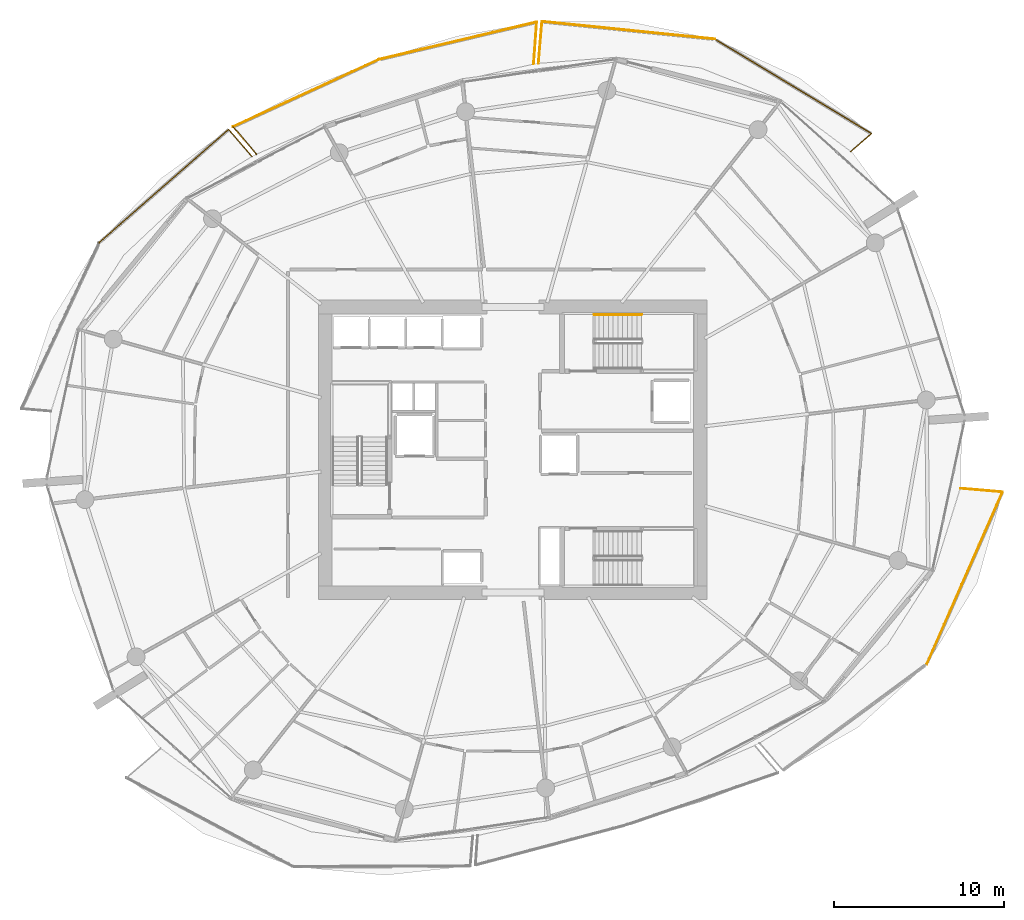
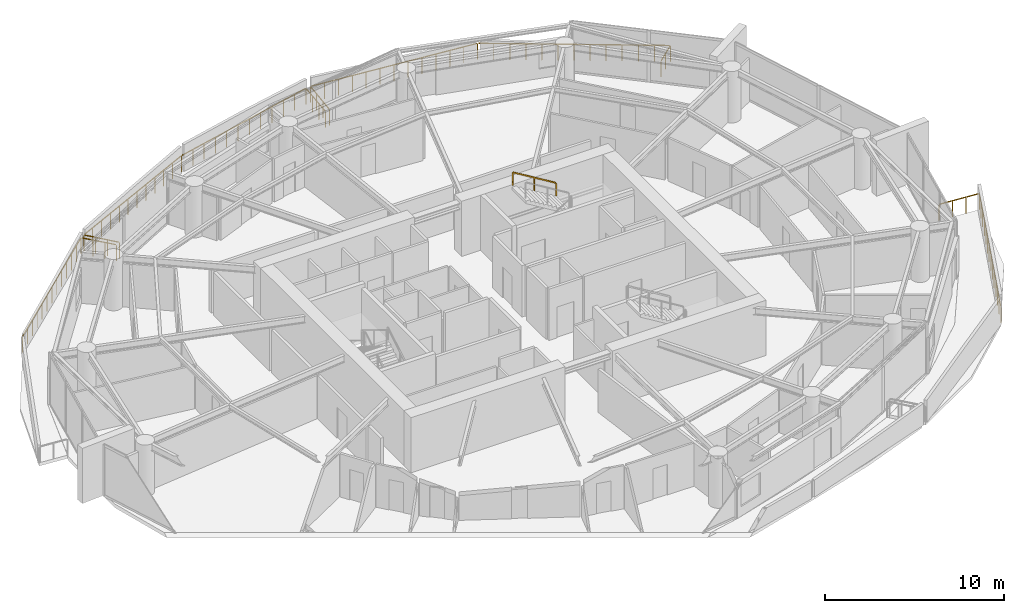
# One storey, part 20 of 20: 13 railings.
"""IFC4 building model written with IfcOpenShell, lengths in metres."""

from ifc_helpers import new_model, si_unit, direction, frame, origin, origin_2d, place, context, subcontext, project, spatial, rectangle, extrude, material, type_object, element, save


model = new_model("IFC4")

# Units and contexts
model_context = context("Model", 3, precision=1e-05, world=origin(), true_north=direction((0.0, 1.0)))
body_context = subcontext(model_context, "Body", "Model", "MODEL_VIEW")
ifc_project = project(units=[si_unit("LENGTHUNIT", "METRE"), si_unit("AREAUNIT", "SQUARE_METRE"), si_unit("VOLUMEUNIT", "CUBIC_METRE"), si_unit("PLANEANGLEUNIT", "RADIAN"), si_unit("MASSUNIT", "GRAM", prefix="KILO")], contexts=[model_context])

# Site, building, storey
site_placement = place(None, origin())
site = spatial("IfcSite", under=ifc_project, at=site_placement, CompositionType="ELEMENT")
building_placement = place(site_placement, origin())
building = spatial("IfcBuilding", under=site, at=building_placement, Name="Kazma Halo Residences", CompositionType="ELEMENT")
storey_placement = place(building_placement, frame((0.0, 0.0, 154.050048828125)))
storey = spatial("IfcBuildingStorey", under=building, at=storey_placement, Name="L38", CompositionType="ELEMENT", Elevation=154.050048828125)

# Railings
ifc_material_1 = material(Name="Aluminium AW-6063 T6 Brushed Cap Rail", Category="aluminium")
railing_type_1 = type_object("IfcRailingType", Name="RLG-BAL-CAP-1120", PredefinedType="BALUSTRADE", material=ifc_material_1)
railing_1_placement = place(storey_placement, frame((68.294677734375, 59.548583984375, 0.0)))
element("IfcRailing", 1, at=railing_1_placement, inside=storey, type_object=railing_type_1, Name="L38 NE wave balcony guard 1", PredefinedType="BALUSTRADE", context=body_context, shape_type="SweptSolid", body=[
    extrude(rectangle(XDim=0.050048828125, YDim=0.050048828125, at=origin_2d()), frame((0.0322265625, 0.02783203125, 1.09521484375), z_axis=(0.756359086682, 0.654156657074, 0.0), x_axis=(-0.654156657074, 0.756359086682, 0.0)), (0.0, 0.0, 1.0), 1.512939453125),
    extrude(rectangle(XDim=0.0400390625, YDim=0.0400390625, at=origin_2d()), origin(), (0.0, 0.0, 1.0), 1.05810546875),
    extrude(rectangle(XDim=0.0400390625, YDim=0.0400390625, at=origin_2d()), frame((0.6044921875, 0.522705078125, 0.0)), (0.0, 0.0, 1.0), 1.05810546875),
    extrude(rectangle(XDim=0.0400390625, YDim=0.0400390625, at=origin_2d()), frame((1.208740234375, 1.04541015625, 0.0)), (0.0, 0.0, 1.0), 1.05810546875),
])
railing_2_placement = place(storey_placement, frame((69.50341796875, 60.593994140625, 0.0)))
element("IfcRailing", 2, at=railing_2_placement, inside=storey, type_object=railing_type_1, Name="L38 NE wave balcony guard 2", PredefinedType="BALUSTRADE", context=body_context, shape_type="SweptSolid", body=[
    extrude(rectangle(XDim=0.050048828125, YDim=0.050048828125, at=origin_2d()), frame((-0.036376953125, 0.02197265625, 1.09521484375), z_axis=(-0.856003934619, 0.516969306552, 0.0), x_axis=(-0.516969306552, -0.856003934619, 0.0)), (0.0, 0.0, 1.0), 10.6611328125),
    extrude(rectangle(XDim=0.0400390625, YDim=0.0400390625, at=origin_2d()), origin(), (0.0, 0.0, 1.0), 1.05810546875),
    extrude(rectangle(XDim=0.0400390625, YDim=0.0400390625, at=origin_2d()), frame((-0.7666015625, 0.462890625, 0.0)), (0.0, 0.0, 1.0), 1.05810546875),
    extrude(rectangle(XDim=0.0400390625, YDim=0.0400390625, at=origin_2d()), frame((-1.533203125, 0.92578125, 0.0)), (0.0, 0.0, 1.0), 1.05810546875),
    extrude(rectangle(XDim=0.0400390625, YDim=0.0400390625, at=origin_2d()), frame((-2.2998046875, 1.388916015625, 0.0)), (0.0, 0.0, 1.0), 1.05810546875),
    extrude(rectangle(XDim=0.0400390625, YDim=0.0400390625, at=origin_2d()), frame((-3.066162109375, 1.851806640625, 0.0)), (0.0, 0.0, 1.0), 1.05810546875),
    extrude(rectangle(XDim=0.0400390625, YDim=0.0400390625, at=origin_2d()), frame((-3.832763671875, 2.314697265625, 0.0)), (0.0, 0.0, 1.0), 1.05810546875),
    extrude(rectangle(XDim=0.0400390625, YDim=0.0400390625, at=origin_2d()), frame((-4.599365234375, 2.77783203125, 0.0)), (0.0, 0.0, 1.0), 1.05810546875),
    extrude(rectangle(XDim=0.0400390625, YDim=0.0400390625, at=origin_2d()), frame((-5.365966796875, 3.24072265625, 0.0)), (0.0, 0.0, 1.0), 1.05810546875),
    extrude(rectangle(XDim=0.0400390625, YDim=0.0400390625, at=origin_2d()), frame((-6.132568359375, 3.70361328125, 0.0)), (0.0, 0.0, 1.0), 1.05810546875),
    extrude(rectangle(XDim=0.0400390625, YDim=0.0400390625, at=origin_2d()), frame((-6.89892578125, 4.16650390625, 0.0)), (0.0, 0.0, 1.0), 1.05810546875),
    extrude(rectangle(XDim=0.0400390625, YDim=0.0400390625, at=origin_2d()), frame((-7.66552734375, 4.62939453125, 0.0)), (0.0, 0.0, 1.0), 1.05810546875),
    extrude(rectangle(XDim=0.0400390625, YDim=0.0400390625, at=origin_2d()), frame((-8.43212890625, 5.092529296875, 0.0)), (0.0, 0.0, 1.0), 1.05810546875),
    extrude(rectangle(XDim=0.0400390625, YDim=0.0400390625, at=origin_2d()), frame((-9.19873046875, 5.555419921875, 0.0)), (0.0, 0.0, 1.0), 1.05810546875),
])
railing_3_placement = place(storey_placement, frame((60.3046875, 66.1494140625, 0.0)))
element("IfcRailing", 3, at=railing_3_placement, inside=storey, type_object=railing_type_1, Name="L38 NE wave balcony guard 3", PredefinedType="BALUSTRADE", context=body_context, shape_type="SweptSolid", body=[
    extrude(rectangle(XDim=0.050048828125, YDim=0.050048828125, at=origin_2d()), frame((-0.042236328125, 0.00439453125, 1.09521484375), z_axis=(-0.994888990239, 0.100974734963, 0.0), x_axis=(-0.100974734963, -0.994888990239, 0.0)), (0.0, 0.0, 1.0), 10.135009765625),
    extrude(rectangle(XDim=0.0400390625, YDim=0.0400390625, at=origin_2d()), origin(), (0.0, 0.0, 1.0), 1.05810546875),
    extrude(rectangle(XDim=0.0400390625, YDim=0.0400390625, at=origin_2d()), frame((-0.847412109375, 0.0859375, 0.0)), (0.0, 0.0, 1.0), 1.05810546875),
    extrude(rectangle(XDim=0.0400390625, YDim=0.0400390625, at=origin_2d()), frame((-1.694580078125, 0.171875, 0.0)), (0.0, 0.0, 1.0), 1.05810546875),
    extrude(rectangle(XDim=0.0400390625, YDim=0.0400390625, at=origin_2d()), frame((-2.5419921875, 0.258056640625, 0.0)), (0.0, 0.0, 1.0), 1.05810546875),
    extrude(rectangle(XDim=0.0400390625, YDim=0.0400390625, at=origin_2d()), frame((-3.389404296875, 0.343994140625, 0.0)), (0.0, 0.0, 1.0), 1.05810546875),
    extrude(rectangle(XDim=0.0400390625, YDim=0.0400390625, at=origin_2d()), frame((-4.236572265625, 0.429931640625, 0.0)), (0.0, 0.0, 1.0), 1.05810546875),
    extrude(rectangle(XDim=0.0400390625, YDim=0.0400390625, at=origin_2d()), frame((-5.083984375, 0.51611328125, 0.0)), (0.0, 0.0, 1.0), 1.05810546875),
    extrude(rectangle(XDim=0.0400390625, YDim=0.0400390625, at=origin_2d()), frame((-5.931396484375, 0.60205078125, 0.0)), (0.0, 0.0, 1.0), 1.05810546875),
    extrude(rectangle(XDim=0.0400390625, YDim=0.0400390625, at=origin_2d()), frame((-6.778564453125, 0.68798828125, 0.0)), (0.0, 0.0, 1.0), 1.05810546875),
    extrude(rectangle(XDim=0.0400390625, YDim=0.0400390625, at=origin_2d()), frame((-7.6259765625, 0.77392578125, 0.0)), (0.0, 0.0, 1.0), 1.05810546875),
    extrude(rectangle(XDim=0.0400390625, YDim=0.0400390625, at=origin_2d()), frame((-8.473388671875, 0.85986328125, 0.0)), (0.0, 0.0, 1.0), 1.05810546875),
    extrude(rectangle(XDim=0.0400390625, YDim=0.0400390625, at=origin_2d()), frame((-9.320556640625, 0.946044921875, 0.0)), (0.0, 0.0, 1.0), 1.05810546875),
    extrude(rectangle(XDim=0.0400390625, YDim=0.0400390625, at=origin_2d()), frame((-10.16796875, 1.031982421875, 0.0)), (0.0, 0.0, 1.0), 1.05810546875),
])
railing_4_placement = place(storey_placement, frame((50.13671875, 67.181396484375, 0.0)))
element("IfcRailing", 4, at=railing_4_placement, inside=storey, type_object=railing_type_1, Name="L38 NE wave balcony guard 4", PredefinedType="BALUSTRADE", context=body_context, shape_type="SweptSolid", body=[
    extrude(rectangle(XDim=0.050048828125, YDim=0.050048828125, at=origin_2d()), frame((-0.003662109375, -0.04248046875, 1.09521484375), z_axis=(-0.084517933957, -0.996421958228, 0.0), x_axis=(0.996421958228, -0.084517933957, 0.0)), (0.0, 0.0, 1.0), 2.384765625),
    extrude(rectangle(XDim=0.0400390625, YDim=0.0400390625, at=origin_2d()), origin(), (0.0, 0.0, 1.0), 1.05810546875),
    extrude(rectangle(XDim=0.0400390625, YDim=0.0400390625, at=origin_2d()), frame((-0.069580078125, -0.8203125, 0.0)), (0.0, 0.0, 1.0), 1.05810546875),
    extrude(rectangle(XDim=0.0400390625, YDim=0.0400390625, at=origin_2d()), frame((-0.13916015625, -1.640625, 0.0)), (0.0, 0.0, 1.0), 1.05810546875),
    extrude(rectangle(XDim=0.0400390625, YDim=0.0400390625, at=origin_2d()), frame((-0.208740234375, -2.4609375, 0.0)), (0.0, 0.0, 1.0), 1.05810546875),
])
railing_5_placement = place(storey_placement, frame((49.6455078125, 64.67822265625, 0.0)))
element("IfcRailing", 5, at=railing_5_placement, inside=storey, type_object=railing_type_1, Name="L38 NNW wave balcony guard 1", PredefinedType="BALUSTRADE", context=body_context, shape_type="SweptSolid", body=[
    extrude(rectangle(XDim=0.050048828125, YDim=0.050048828125, at=origin_2d()), frame((0.003173828125, 0.04248046875, 1.09521484375), z_axis=(0.072387851321, 0.997376558267, 0.0), x_axis=(-0.997376558267, 0.072387851321, 0.0)), (0.0, 0.0, 1.0), 2.393798828125),
    extrude(rectangle(XDim=0.0400390625, YDim=0.0400390625, at=origin_2d()), origin(), (0.0, 0.0, 1.0), 1.05810546875),
    extrude(rectangle(XDim=0.0400390625, YDim=0.0400390625, at=origin_2d()), frame((0.059814453125, 0.82421875, 0.0)), (0.0, 0.0, 1.0), 1.05810546875),
    extrude(rectangle(XDim=0.0400390625, YDim=0.0400390625, at=origin_2d()), frame((0.11962890625, 1.648193359375, 0.0)), (0.0, 0.0, 1.0), 1.05810546875),
    extrude(rectangle(XDim=0.0400390625, YDim=0.0400390625, at=origin_2d()), frame((0.179443359375, 2.472412109375, 0.0)), (0.0, 0.0, 1.0), 1.05810546875),
])
railing_6_placement = place(storey_placement, frame((49.824951171875, 67.150634765625, 0.0)))
element("IfcRailing", 6, at=railing_6_placement, inside=storey, type_object=railing_type_1, Name="L38 NNW wave balcony guard 2", PredefinedType="BALUSTRADE", context=body_context, shape_type="SweptSolid", body=[
    extrude(rectangle(XDim=0.050048828125, YDim=0.050048828125, at=origin_2d()), frame((-0.04150390625, -0.009765625, 1.09521484375), z_axis=(-0.972949927438, -0.231016100517, 0.0), x_axis=(0.231016100517, -0.972949927438, 0.0)), (0.0, 0.0, 1.0), 9.45361328125),
    extrude(rectangle(XDim=0.0400390625, YDim=0.0400390625, at=origin_2d()), origin(), (0.0, 0.0, 1.0), 1.05810546875),
    extrude(rectangle(XDim=0.0400390625, YDim=0.0400390625, at=origin_2d()), frame((-0.84375, -0.200439453125, 0.0)), (0.0, 0.0, 1.0), 1.05810546875),
    extrude(rectangle(XDim=0.0400390625, YDim=0.0400390625, at=origin_2d()), frame((-1.6875, -0.400634765625, 0.0)), (0.0, 0.0, 1.0), 1.05810546875),
    extrude(rectangle(XDim=0.0400390625, YDim=0.0400390625, at=origin_2d()), frame((-2.531005859375, -0.60107421875, 0.0)), (0.0, 0.0, 1.0), 1.05810546875),
    extrude(rectangle(XDim=0.0400390625, YDim=0.0400390625, at=origin_2d()), frame((-3.374755859375, -0.80126953125, 0.0)), (0.0, 0.0, 1.0), 1.05810546875),
    extrude(rectangle(XDim=0.0400390625, YDim=0.0400390625, at=origin_2d()), frame((-4.218505859375, -1.001708984375, 0.0)), (0.0, 0.0, 1.0), 1.05810546875),
    extrude(rectangle(XDim=0.0400390625, YDim=0.0400390625, at=origin_2d()), frame((-5.062255859375, -1.201904296875, 0.0)), (0.0, 0.0, 1.0), 1.05810546875),
    extrude(rectangle(XDim=0.0400390625, YDim=0.0400390625, at=origin_2d()), frame((-5.906005859375, -1.40234375, 0.0)), (0.0, 0.0, 1.0), 1.05810546875),
    extrude(rectangle(XDim=0.0400390625, YDim=0.0400390625, at=origin_2d()), frame((-6.749755859375, -1.6025390625, 0.0)), (0.0, 0.0, 1.0), 1.05810546875),
    extrude(rectangle(XDim=0.0400390625, YDim=0.0400390625, at=origin_2d()), frame((-7.59326171875, -1.802978515625, 0.0)), (0.0, 0.0, 1.0), 1.05810546875),
    extrude(rectangle(XDim=0.0400390625, YDim=0.0400390625, at=origin_2d()), frame((-8.43701171875, -2.003173828125, 0.0)), (0.0, 0.0, 1.0), 1.05810546875),
    extrude(rectangle(XDim=0.0400390625, YDim=0.0400390625, at=origin_2d()), frame((-9.28076171875, -2.20361328125, 0.0)), (0.0, 0.0, 1.0), 1.05810546875),
])
railing_7_placement = place(storey_placement, frame((40.544189453125, 64.947021484375, 0.0)))
element("IfcRailing", 7, at=railing_7_placement, inside=storey, type_object=railing_type_1, Name="L38 NNW wave balcony guard 3", PredefinedType="BALUSTRADE", context=body_context, shape_type="SweptSolid", body=[
    extrude(rectangle(XDim=0.050048828125, YDim=0.050048828125, at=origin_2d()), frame((-0.03857421875, -0.017822265625, 1.09521484375), z_axis=(-0.908088839492, -0.418777577706, 0.0), x_axis=(0.418777577706, -0.908088839492, 0.0)), (0.0, 0.0, 1.0), 9.3505859375),
    extrude(rectangle(XDim=0.0400390625, YDim=0.0400390625, at=origin_2d()), origin(), (0.0, 0.0, 1.0), 1.05810546875),
    extrude(rectangle(XDim=0.0400390625, YDim=0.0400390625, at=origin_2d()), frame((-0.779052734375, -0.359130859375, 0.0)), (0.0, 0.0, 1.0), 1.05810546875),
    extrude(rectangle(XDim=0.0400390625, YDim=0.0400390625, at=origin_2d()), frame((-1.557861328125, -0.718505859375, 0.0)), (0.0, 0.0, 1.0), 1.05810546875),
    extrude(rectangle(XDim=0.0400390625, YDim=0.0400390625, at=origin_2d()), frame((-2.3369140625, -1.07763671875, 0.0)), (0.0, 0.0, 1.0), 1.05810546875),
    extrude(rectangle(XDim=0.0400390625, YDim=0.0400390625, at=origin_2d()), frame((-3.11572265625, -1.436767578125, 0.0)), (0.0, 0.0, 1.0), 1.05810546875),
    extrude(rectangle(XDim=0.0400390625, YDim=0.0400390625, at=origin_2d()), frame((-3.894775390625, -1.796142578125, 0.0)), (0.0, 0.0, 1.0), 1.05810546875),
    extrude(rectangle(XDim=0.0400390625, YDim=0.0400390625, at=origin_2d()), frame((-4.673583984375, -2.1552734375, 0.0)), (0.0, 0.0, 1.0), 1.05810546875),
    extrude(rectangle(XDim=0.0400390625, YDim=0.0400390625, at=origin_2d()), frame((-5.45263671875, -2.5146484375, 0.0)), (0.0, 0.0, 1.0), 1.05810546875),
    extrude(rectangle(XDim=0.0400390625, YDim=0.0400390625, at=origin_2d()), frame((-6.2314453125, -2.873779296875, 0.0)), (0.0, 0.0, 1.0), 1.05810546875),
    extrude(rectangle(XDim=0.0400390625, YDim=0.0400390625, at=origin_2d()), frame((-7.010498046875, -3.23291015625, 0.0)), (0.0, 0.0, 1.0), 1.05810546875),
    extrude(rectangle(XDim=0.0400390625, YDim=0.0400390625, at=origin_2d()), frame((-7.789306640625, -3.59228515625, 0.0)), (0.0, 0.0, 1.0), 1.05810546875),
    extrude(rectangle(XDim=0.0400390625, YDim=0.0400390625, at=origin_2d()), frame((-8.568359375, -3.951416015625, 0.0)), (0.0, 0.0, 1.0), 1.05810546875),
])
railing_8_placement = place(storey_placement, frame((31.975830078125, 60.99560546875, 0.0)))
element("IfcRailing", 8, at=railing_8_placement, inside=storey, type_object=railing_type_1, Name="L38 NNW wave balcony guard 4", PredefinedType="BALUSTRADE", context=body_context, shape_type="SweptSolid", body=[
    extrude(rectangle(XDim=0.050048828125, YDim=0.050048828125, at=origin_2d()), frame((0.02734375, -0.032470703125, 1.09521484375), z_axis=(0.644807688259, -0.764344847017, 0.0), x_axis=(0.764344847017, 0.644807688259, 0.0)), (0.0, 0.0, 1.0), 2.02880859375),
    extrude(rectangle(XDim=0.0400390625, YDim=0.0400390625, at=origin_2d()), origin(), (0.0, 0.0, 1.0), 1.05810546875),
    extrude(rectangle(XDim=0.0400390625, YDim=0.0400390625, at=origin_2d()), frame((0.454345703125, -0.53857421875, 0.0)), (0.0, 0.0, 1.0), 1.05810546875),
    extrude(rectangle(XDim=0.0400390625, YDim=0.0400390625, at=origin_2d()), frame((0.90869140625, -1.0771484375, 0.0)), (0.0, 0.0, 1.0), 1.05810546875),
    extrude(rectangle(XDim=0.0400390625, YDim=0.0400390625, at=origin_2d()), frame((1.363037109375, -1.61572265625, 0.0)), (0.0, 0.0, 1.0), 1.05810546875),
])
railing_9_placement = place(storey_placement, frame((33.08544921875, 59.248046875, 0.0)))
element("IfcRailing", 9, at=railing_9_placement, inside=storey, type_object=railing_type_1, Name="L38 NW wave balcony guard 1", PredefinedType="BALUSTRADE", context=body_context, shape_type="SweptSolid", body=[
    extrude(rectangle(XDim=0.050048828125, YDim=0.050048828125, at=origin_2d()), frame((-0.02783203125, 0.0322265625, 1.09521484375), z_axis=(-0.654080000882, 0.756425377976, 0.0), x_axis=(-0.756425377976, -0.654080000882, 0.0)), (0.0, 0.0, 1.0), 2.01416015625),
    extrude(rectangle(XDim=0.0400390625, YDim=0.0400390625, at=origin_2d()), origin(), (0.0, 0.0, 1.0), 1.05810546875),
    extrude(rectangle(XDim=0.0400390625, YDim=0.0400390625, at=origin_2d()), frame((-0.457763671875, 0.529296875, 0.0)), (0.0, 0.0, 1.0), 1.05810546875),
    extrude(rectangle(XDim=0.0400390625, YDim=0.0400390625, at=origin_2d()), frame((-0.915283203125, 1.05859375, 0.0)), (0.0, 0.0, 1.0), 1.05810546875),
    extrude(rectangle(XDim=0.0400390625, YDim=0.0400390625, at=origin_2d()), frame((-1.373046875, 1.587890625, 0.0)), (0.0, 0.0, 1.0), 1.05810546875),
])
railing_10_placement = place(storey_placement, frame((31.71240234375, 60.8359375, 0.0)))
element("IfcRailing", 10, at=railing_10_placement, inside=storey, type_object=railing_type_1, Name="L38 NW wave balcony guard 2", PredefinedType="BALUSTRADE", context=body_context, shape_type="SweptSolid", body=[
    extrude(rectangle(XDim=0.050048828125, YDim=0.050048828125, at=origin_2d()), frame((-0.031982421875, -0.028076171875, 1.09521484375), z_axis=(-0.752614080913, -0.658461878329, 0.0), x_axis=(0.658461878329, -0.752614080913, 0.0)), (0.0, 0.0, 1.0), 10.02783203125),
    extrude(rectangle(XDim=0.0400390625, YDim=0.0400390625, at=origin_2d()), origin(), (0.0, 0.0, 1.0), 1.05810546875),
    extrude(rectangle(XDim=0.0400390625, YDim=0.0400390625, at=origin_2d()), frame((-0.63427734375, -0.554931640625, 0.0)), (0.0, 0.0, 1.0), 1.05810546875),
    extrude(rectangle(XDim=0.0400390625, YDim=0.0400390625, at=origin_2d()), frame((-1.2685546875, -1.10986328125, 0.0)), (0.0, 0.0, 1.0), 1.05810546875),
    extrude(rectangle(XDim=0.0400390625, YDim=0.0400390625, at=origin_2d()), frame((-1.90283203125, -1.664794921875, 0.0)), (0.0, 0.0, 1.0), 1.05810546875),
    extrude(rectangle(XDim=0.0400390625, YDim=0.0400390625, at=origin_2d()), frame((-2.537109375, -2.2197265625, 0.0)), (0.0, 0.0, 1.0), 1.05810546875),
    extrude(rectangle(XDim=0.0400390625, YDim=0.0400390625, at=origin_2d()), frame((-3.17138671875, -2.774658203125, 0.0)), (0.0, 0.0, 1.0), 1.05810546875),
    extrude(rectangle(XDim=0.0400390625, YDim=0.0400390625, at=origin_2d()), frame((-3.8056640625, -3.32958984375, 0.0)), (0.0, 0.0, 1.0), 1.05810546875),
    extrude(rectangle(XDim=0.0400390625, YDim=0.0400390625, at=origin_2d()), frame((-4.439697265625, -3.88427734375, 0.0)), (0.0, 0.0, 1.0), 1.05810546875),
    extrude(rectangle(XDim=0.0400390625, YDim=0.0400390625, at=origin_2d()), frame((-5.073974609375, -4.439208984375, 0.0)), (0.0, 0.0, 1.0), 1.05810546875),
    extrude(rectangle(XDim=0.0400390625, YDim=0.0400390625, at=origin_2d()), frame((-5.708251953125, -4.994140625, 0.0)), (0.0, 0.0, 1.0), 1.05810546875),
    extrude(rectangle(XDim=0.0400390625, YDim=0.0400390625, at=origin_2d()), frame((-6.342529296875, -5.549072265625, 0.0)), (0.0, 0.0, 1.0), 1.05810546875),
    extrude(rectangle(XDim=0.0400390625, YDim=0.0400390625, at=origin_2d()), frame((-6.976806640625, -6.10400390625, 0.0)), (0.0, 0.0, 1.0), 1.05810546875),
    extrude(rectangle(XDim=0.0400390625, YDim=0.0400390625, at=origin_2d()), frame((-7.611083984375, -6.658935546875, 0.0)), (0.0, 0.0, 1.0), 1.05810546875),
])
railing_11_placement = place(storey_placement, frame((72.7548828125, 29.38671875, 0.0)))
element("IfcRailing", 11, at=railing_11_placement, inside=storey, type_object=railing_type_1, Name="L38 SE wave balcony guard 3", PredefinedType="BALUSTRADE", context=body_context, shape_type="SweptSolid", body=[
    extrude(rectangle(XDim=0.050048828125, YDim=0.050048828125, at=origin_2d()), frame((0.01708984375, 0.038818359375, 1.09521484375), z_axis=(0.402971346583, 0.915212594883, 0.0), x_axis=(-0.915212594883, 0.402971346583, 0.0)), (0.0, 0.0, 1.0), 10.988037109375),
    extrude(rectangle(XDim=0.0400390625, YDim=0.0400390625, at=origin_2d()), origin(), (0.0, 0.0, 1.0), 1.05810546875),
    extrude(rectangle(XDim=0.0400390625, YDim=0.0400390625, at=origin_2d()), frame((0.34326171875, 0.779541015625, 0.0)), (0.0, 0.0, 1.0), 1.05810546875),
    extrude(rectangle(XDim=0.0400390625, YDim=0.0400390625, at=origin_2d()), frame((0.6865234375, 1.55908203125, 0.0)), (0.0, 0.0, 1.0), 1.05810546875),
    extrude(rectangle(XDim=0.0400390625, YDim=0.0400390625, at=origin_2d()), frame((1.02978515625, 2.338623046875, 0.0)), (0.0, 0.0, 1.0), 1.05810546875),
    extrude(rectangle(XDim=0.0400390625, YDim=0.0400390625, at=origin_2d()), frame((1.373046875, 3.1181640625, 0.0)), (0.0, 0.0, 1.0), 1.05810546875),
    extrude(rectangle(XDim=0.0400390625, YDim=0.0400390625, at=origin_2d()), frame((1.71630859375, 3.897705078125, 0.0)), (0.0, 0.0, 1.0), 1.05810546875),
    extrude(rectangle(XDim=0.0400390625, YDim=0.0400390625, at=origin_2d()), frame((2.0595703125, 4.67724609375, 0.0)), (0.0, 0.0, 1.0), 1.05810546875),
    extrude(rectangle(XDim=0.0400390625, YDim=0.0400390625, at=origin_2d()), frame((2.402587890625, 5.45703125, 0.0)), (0.0, 0.0, 1.0), 1.05810546875),
    extrude(rectangle(XDim=0.0400390625, YDim=0.0400390625, at=origin_2d()), frame((2.745849609375, 6.236572265625, 0.0)), (0.0, 0.0, 1.0), 1.05810546875),
    extrude(rectangle(XDim=0.0400390625, YDim=0.0400390625, at=origin_2d()), frame((3.089111328125, 7.01611328125, 0.0)), (0.0, 0.0, 1.0), 1.05810546875),
    extrude(rectangle(XDim=0.0400390625, YDim=0.0400390625, at=origin_2d()), frame((3.432373046875, 7.795654296875, 0.0)), (0.0, 0.0, 1.0), 1.05810546875),
    extrude(rectangle(XDim=0.0400390625, YDim=0.0400390625, at=origin_2d()), frame((3.775634765625, 8.5751953125, 0.0)), (0.0, 0.0, 1.0), 1.05810546875),
    extrude(rectangle(XDim=0.0400390625, YDim=0.0400390625, at=origin_2d()), frame((4.118896484375, 9.354736328125, 0.0)), (0.0, 0.0, 1.0), 1.05810546875),
    extrude(rectangle(XDim=0.0400390625, YDim=0.0400390625, at=origin_2d()), frame((4.462158203125, 10.13427734375, 0.0)), (0.0, 0.0, 1.0), 1.05810546875),
])
railing_12_placement = place(storey_placement, frame((77.217041015625, 39.52099609375, 0.0)))
element("IfcRailing", 12, at=railing_12_placement, inside=storey, type_object=railing_type_1, Name="L38 SE wave balcony guard 4", PredefinedType="BALUSTRADE", context=body_context, shape_type="SweptSolid", body=[
    extrude(rectangle(XDim=0.050048828125, YDim=0.050048828125, at=origin_2d()), frame((-0.04248046875, 0.003662109375, 1.09521484375), z_axis=(-0.996421037554, 0.084528787517, 0.0), x_axis=(-0.084528787517, -0.996421037554, 0.0)), (0.0, 0.0, 1.0), 2.407470703125),
    extrude(rectangle(XDim=0.0400390625, YDim=0.0400390625, at=origin_2d()), origin(), (0.0, 0.0, 1.0), 1.05810546875),
    extrude(rectangle(XDim=0.0400390625, YDim=0.0400390625, at=origin_2d()), frame((-0.827880859375, 0.0703125, 0.0)), (0.0, 0.0, 1.0), 1.05810546875),
    extrude(rectangle(XDim=0.0400390625, YDim=0.0400390625, at=origin_2d()), frame((-1.65576171875, 0.140380859375, 0.0)), (0.0, 0.0, 1.0), 1.05810546875),
    extrude(rectangle(XDim=0.0400390625, YDim=0.0400390625, at=origin_2d()), frame((-2.483642578125, 0.210693359375, 0.0)), (0.0, 0.0, 1.0), 1.05810546875),
])
ifc_material_2 = material(Name="Brushed Stainless Steel", Category="steel")
railing_type_2 = type_object("IfcRailingType", Name="RLG-STAIR-HND-900", PredefinedType="HANDRAIL", material=ifc_material_2)
railing_13_placement = place(storey_placement, frame((56.0, 49.949951171875, 2.04541015625)))
element("IfcRailing", 13, at=railing_13_placement, inside=storey, type_object=railing_type_2, Name="L38 ST-02 stair handrail 2", PredefinedType="HANDRAIL", context=body_context, shape_type="SweptSolid", body=[
    extrude(rectangle(XDim=0.050048828125, YDim=0.050048828125, at=origin_2d()), frame((-0.036376953125, 0.0, 0.89697265625), z_axis=(-0.854169791009, 0.0, 0.51999420009), x_axis=(0.0, -1.0, 0.0)), (0.0, 0.0, 1.0), 3.193115234375),
    extrude(rectangle(XDim=0.0400390625, YDim=0.0400390625, at=origin_2d()), origin(), (0.0, 0.0, 1.0), 0.837890625),
    extrude(rectangle(XDim=0.0400390625, YDim=0.0400390625, at=origin_2d()), frame((-1.39990234375, 0.0, 0.852294921875)), (0.0, 0.0, 1.0), 0.837890625),
    extrude(rectangle(XDim=0.0400390625, YDim=0.0400390625, at=origin_2d()), frame((-2.800048828125, 0.0, 1.70458984375)), (0.0, 0.0, 1.0), 0.837890625),
])

save(model, "model.ifc")
